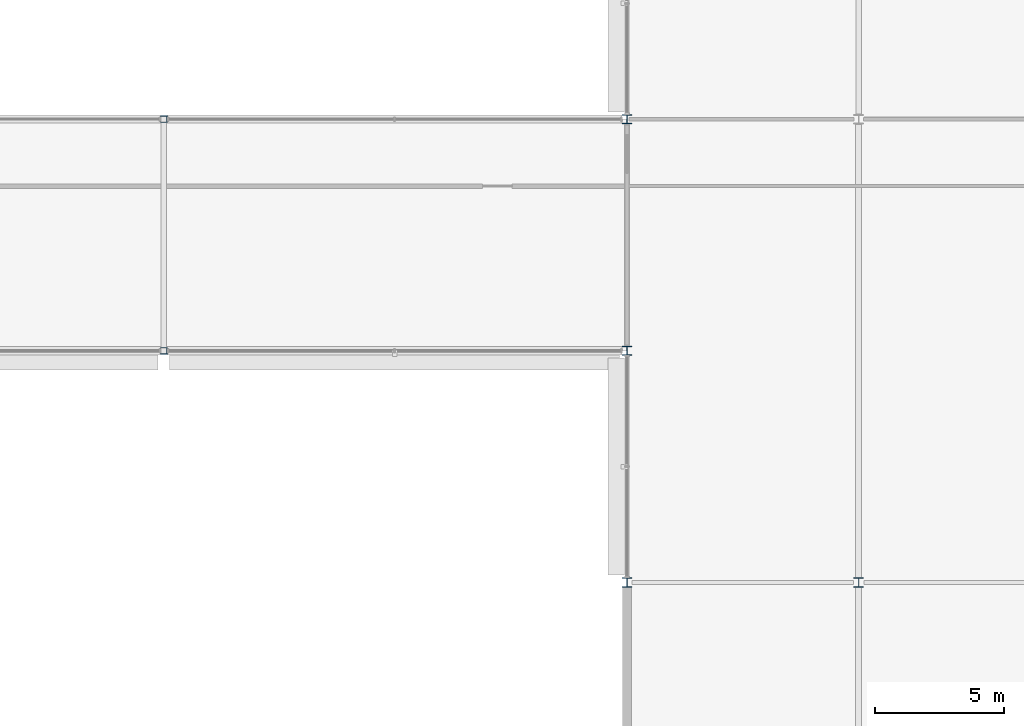
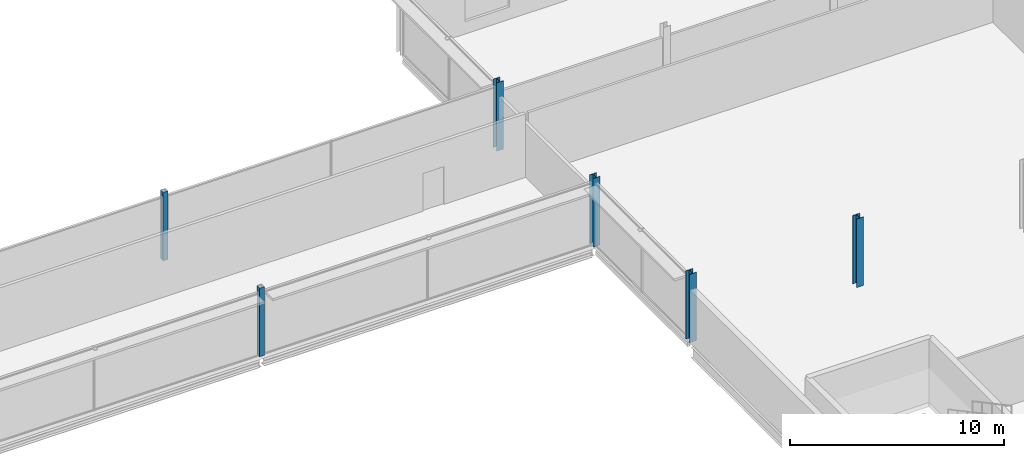
# One storey, part 14 of 98: 6 columns.
"""IFC4 building model written with IfcOpenShell, lengths in metres."""

import ifcopenshell
import ifcopenshell.guid

model = None  # the IFC model being written
_history = None  # IfcOwnerHistory: only IFC2X3 demands one
_inside = {}  # id of a spatial element -> (the spatial element, [elements in it])
_under = {}  # id of a project, library or spatial element -> (it, [spatial elements below it])
_declared = {}  # id of a project -> (the project, [libraries it declares])
_typed = {}  # id of a type object -> (the type object, [elements of that type])
_made_of = {}  # id of a material, layer set ... -> (it, [elements and type objects made of it])


def new_model(schema):
    """Start an empty IFC model of exactly this schema.

    Asked for "IFC4X3", IfcOpenShell would pick the latest addendum, in which some entities
    have other attributes; the version numbers below select the first issue.
    IFC2X3 requires an IfcOwnerHistory on every rooted entity: one is made here for all.
    """
    global model, _history
    if schema == "IFC4X3":
        model = ifcopenshell.file(schema_version=(4, 3, 0, 0))
    else:
        model = ifcopenshell.file(schema=schema)
    _inside.clear()
    _under.clear()
    _declared.clear()
    _typed.clear()
    _made_of.clear()
    _history = None
    if model.schema == "IFC2X3":
        org = make("IfcOrganization", Name="unknown")
        user = make(
            "IfcPersonAndOrganization",
            ThePerson=make("IfcPerson", FamilyName="unknown"),
            TheOrganization=org,
        )
        app = make(
            "IfcApplication",
            ApplicationDeveloper=org,
            Version="unknown",
            ApplicationFullName="unknown",
            ApplicationIdentifier="unknown",
        )
        _history = make(
            "IfcOwnerHistory",
            OwningUser=user,
            OwningApplication=app,
            ChangeAction="ADDED",
            CreationDate=0,
        )
    return model


def make(cls, **values):
    """One entity of the class cls with the attributes given. An attribute that is None is left unset."""
    return model.create_entity(
        cls, **{name: value for name, value in values.items() if value is not None}
    )


def rooted(cls, **values):
    """An entity with a GlobalId (a new one), such as an element, a storey or a relation."""
    return make(cls, GlobalId=ifcopenshell.guid.new(), OwnerHistory=_history, **values)


def si_unit(unit_type, name, prefix=None):
    """IfcSIUnit, for example si_unit("LENGTHUNIT", "METRE", prefix="MILLI")."""
    return make("IfcSIUnit", UnitType=unit_type, Prefix=prefix, Name=name)


def assignment(units):
    """IfcUnitAssignment: the units of a project."""
    return None if units is None else make("IfcUnitAssignment", Units=units)


def point(xyz):
    """IfcCartesianPoint."""
    return None if xyz is None else make("IfcCartesianPoint", Coordinates=xyz)


def direction(xyz):
    """IfcDirection."""
    return None if xyz is None else make("IfcDirection", DirectionRatios=xyz)


def frame(location, z_axis=None, x_axis=None):
    """IfcAxis2Placement3D, a coordinate frame: its origin and axes. An axis left out is left unset."""
    return make(
        "IfcAxis2Placement3D",
        Location=point(location),
        Axis=direction(z_axis),
        RefDirection=direction(x_axis),
    )


def frame_2d(location, x_axis=None):
    """IfcAxis2Placement2D, a coordinate frame in the plane: its origin and x axis."""
    return make(
        "IfcAxis2Placement2D", Location=point(location), RefDirection=direction(x_axis)
    )


def origin():
    """The frame at (0, 0, 0) with its axes left unset."""
    return frame((0.0, 0.0, 0.0))


def origin_2d():
    """The frame at (0, 0) in the plane with its x axis left unset."""
    return frame_2d((0.0, 0.0))


def place(relative_to, where):
    """IfcLocalPlacement: puts the frame where relative to a parent placement (None: the world)."""
    return make(
        "IfcLocalPlacement", PlacementRelTo=relative_to, RelativePlacement=where
    )


def context(
    kind, dimensions, precision=None, world=None, true_north=None, identifier=None
):
    """IfcGeometricRepresentationContext, for example the 3D "Model" context."""
    return make(
        "IfcGeometricRepresentationContext",
        ContextIdentifier=identifier,
        ContextType=kind,
        CoordinateSpaceDimension=dimensions,
        Precision=precision,
        WorldCoordinateSystem=world,
        TrueNorth=true_north,
    )


def subcontext(parent, identifier, kind, view, scale=None):
    """IfcGeometricRepresentationSubContext, for example "Body" below "Model"."""
    return make(
        "IfcGeometricRepresentationSubContext",
        ContextIdentifier=identifier,
        ContextType=kind,
        ParentContext=parent,
        TargetScale=scale,
        TargetView=view,
    )


def project(units=None, contexts=None):
    """IfcProject with its units and contexts."""
    return rooted(
        "IfcProject",
        Name="project",
        RepresentationContexts=contexts,
        UnitsInContext=assignment(units),
    )


def spatial(cls, under=None, at=None, **own):
    """A site, building, storey or space (cls), placed at a placement, below another one or the project."""
    s = rooted(cls, ObjectPlacement=at, **own)
    if under is not None:
        _under.setdefault(under.id(), (under, []))[1].append(s)
    return s


def profile(cls, at=None, kind="AREA", **sizes):
    """A parametric profile (cls). Its sizes go by their IFC names, for example OverallWidth=200.0."""
    return make(cls, ProfileType=kind, Position=at, **sizes)


def hollow_rectangle(**sizes):
    """IfcRectangleHollowProfileDef."""
    return profile("IfcRectangleHollowProfileDef", **sizes)


def i_section(**sizes):
    """IfcIShapeProfileDef."""
    return profile("IfcIShapeProfileDef", **sizes)


def extrude(swept, where, along, depth):
    """IfcExtrudedAreaSolid: the profile swept, set in the frame where, extruded along a direction by depth."""
    return make(
        "IfcExtrudedAreaSolid",
        SweptArea=swept,
        Position=where,
        ExtrudedDirection=direction(along),
        Depth=depth,
    )


def shape(context_of_items, identifier, shape_type, items):
    """IfcShapeRepresentation: the items that make up one representation, for example the "Body"."""
    return make(
        "IfcShapeRepresentation",
        ContextOfItems=context_of_items,
        RepresentationIdentifier=identifier,
        RepresentationType=shape_type,
        Items=items,
    )


def material(Name=None, Category=None):
    """IfcMaterial."""
    return make("IfcMaterial", Name=Name, Category=Category)


def material_profile(
    of_material, cross_section, Name=None, Category=None, Priority=None
):
    """IfcMaterialProfile: a cross section and its material."""
    return make(
        "IfcMaterialProfile",
        Name=Name,
        Material=of_material,
        Profile=cross_section,
        Priority=Priority,
        Category=Category,
    )


def profile_set(profiles, Name=None, composite=None):
    """IfcMaterialProfileSet."""
    return make(
        "IfcMaterialProfileSet",
        Name=Name,
        MaterialProfiles=profiles,
        CompositeProfile=composite,
    )


def made_of(thing, what):
    """Note that an element or type object is made of a material, layer set ...; save() writes the relation."""
    if what is not None:
        _made_of.setdefault(what.id(), (what, []))[1].append(thing)
    return thing


def type_object(cls, material=None, **own):
    """A type object (cls), such as IfcWallType, which elements share."""
    return made_of(rooted(cls, **own), material)


def element(
    cls,
    number,
    at=None,
    inside=None,
    cuts=None,
    type_object=None,
    material=None,
    context=None,
    identifier="Body",
    shape_type=None,
    held_by="IfcProductDefinitionShape",
    body=None,
    shapes=None,
    **own,
):
    """One element of the class cls, such as IfcWall. Its Tag is "e" and its number.

    at: its placement. inside: the storey or other place that contains it. cuts: it is an
    opening in that element (IfcRelVoidsElement). A single representation is given by context,
    identifier, shape_type and body (its items); several are given by shapes. held_by: the class
    of the entity that holds the representations. save() writes the other relations.
    """
    e = rooted(cls, Tag="e%d" % number, ObjectPlacement=at, **own)
    if body is not None:
        shapes = [shape(context, identifier, shape_type, body)]
    if shapes is not None:
        e.Representation = make(held_by, Representations=shapes)
    if inside is not None:
        _inside.setdefault(inside.id(), (inside, []))[1].append(e)
    if cuts is not None:
        rooted(
            "IfcRelVoidsElement", RelatingBuildingElement=cuts, RelatedOpeningElement=e
        )
    if type_object is not None:
        _typed.setdefault(type_object.id(), (type_object, []))[1].append(e)
    return made_of(e, material)


def aggregate(whole, parts):
    """IfcRelAggregates: a whole, such as a stair, and the parts it consists of."""
    return rooted("IfcRelAggregates", RelatingObject=whole, RelatedObjects=parts)


def save(model, path):
    """Write the relations noted so far, then the file.

    IfcRelAggregates (storeys below a building ...), IfcRelContainedInSpatialStructure (elements
    in a storey), IfcRelDefinesByType, IfcRelAssociatesMaterial and IfcRelDeclares: one each for
    every whole, place, type object, material and project.
    """
    for whole, parts in _under.values():
        aggregate(whole, parts)
    for where, things in _inside.values():
        rooted(
            "IfcRelContainedInSpatialStructure",
            RelatedElements=things,
            RelatingStructure=where,
        )
    for kind, things in _typed.values():
        rooted("IfcRelDefinesByType", RelatedObjects=things, RelatingType=kind)
    for what, things in _made_of.values():
        rooted("IfcRelAssociatesMaterial", RelatedObjects=things, RelatingMaterial=what)
    for by, libraries in _declared.values():
        rooted("IfcRelDeclares", RelatingContext=by, RelatedDefinitions=libraries)
    model.write(path)


model = new_model("IFC4")

# Units and contexts
model_context = context("Model", 3, precision=1e-05, world=origin(), true_north=direction((0.0, 1.0)))
body_context = subcontext(model_context, "Body", "Model", "MODEL_VIEW")
ifc_project = project(units=[si_unit("LENGTHUNIT", "METRE"), si_unit("AREAUNIT", "SQUARE_METRE"), si_unit("VOLUMEUNIT", "CUBIC_METRE"), si_unit("PLANEANGLEUNIT", "RADIAN"), si_unit("MASSUNIT", "GRAM", prefix="KILO")], contexts=[model_context])

# Site, building, storey
site_placement = place(None, origin())
site = spatial("IfcSite", under=ifc_project, at=site_placement, CompositionType="ELEMENT")
building_placement = place(site_placement, origin())
building = spatial("IfcBuilding", under=site, at=building_placement, Name="Kisiwana Market Hall", CompositionType="ELEMENT")
storey_placement = place(building_placement, frame((0.0, 0.0, 29.39990234375)))
storey = spatial("IfcBuildingStorey", under=building, at=storey_placement, Name="L06", CompositionType="ELEMENT", Elevation=29.39990234375)

# Columns
ifc_material_1 = material(Name="Steel S355", Category="steel")
ifc_material_profile_1 = material_profile(ifc_material_1, hollow_rectangle(XDim=0.25, YDim=0.25, WallThickness=0.012451171875, at=origin_2d()), Name="SHS 250x250x12.5")
ifc_profile_set_1 = profile_set([ifc_material_profile_1], Name="Steel S355")
column_type_1 = type_object("IfcColumnType", Name="COL-STL-SHS250", PredefinedType="COLUMN", material=ifc_profile_set_1)
for number, where, z_axis, x_axis, name in (
    (1, (135.0, 93.0, 0.0), (0.0, 0.0, 1.0), (1.0, 0.0, 0.0), "Column M/16 (L06) C-1029"),
    (2, (135.0, 102.0, 0.0), (0.0, 0.0, 1.0), (1.0, 0.0, 0.0), "Column N/16 (L06) C-1030"),
):
    element("IfcColumn", number, at=place(storey_placement, frame(where, z_axis=z_axis, x_axis=x_axis)), inside=storey, type_object=column_type_1, Name=name, PredefinedType="COLUMN", context=body_context, shape_type="SweptSolid", body=[
        extrude(hollow_rectangle(XDim=0.25, YDim=0.25, WallThickness=0.012451171875, at=origin_2d()), origin(), (0.0, 0.0, 1.0), 3.900146484375),
    ])
ifc_material_2 = material(Name="Steel S355", Category="steel")
ifc_material_profile_2 = material_profile(ifc_material_2, i_section(OverallWidth=0.37060546875, OverallDepth=0.362060546875, WebThickness=0.01220703125, FlangeThickness=0.020751953125, at=origin_2d()), Name="UC 356x368x153")
ifc_profile_set_2 = profile_set([ifc_material_profile_2], Name="Steel S355")
column_type_2 = type_object("IfcColumnType", Name="COL-STL-UC153", PredefinedType="COLUMN", material=ifc_profile_set_2)
for number, where, z_axis, x_axis, name in (
    (3, (153.0, 84.0, 0.0), (0.0, 0.0, 1.0), (1.0, 0.0, 0.0), "Column L/18 (L06) C-1036"),
    (4, (153.0, 93.0, 0.0), (0.0, 0.0, 1.0), (1.0, 0.0, 0.0), "Column M/18 (L06) C-1037"),
    (5, (153.0, 102.0, 0.0), (0.0, 0.0, 1.0), (1.0, 0.0, 0.0), "Column N/18 (L06) C-1038"),
    (6, (162.0, 84.0, 0.0), (0.0, 0.0, 1.0), (1.0, 0.0, 0.0), "Column L/19 (L06) C-1043"),
):
    element("IfcColumn", number, at=place(storey_placement, frame(where, z_axis=z_axis, x_axis=x_axis)), inside=storey, type_object=column_type_2, Name=name, PredefinedType="COLUMN", context=body_context, shape_type="SweptSolid", body=[
        extrude(i_section(OverallWidth=0.37060546875, OverallDepth=0.362060546875, WebThickness=0.01220703125, FlangeThickness=0.020751953125, at=origin_2d()), origin(), (0.0, 0.0, 1.0), 3.900146484375),
    ])

save(model, "model.ifc")
